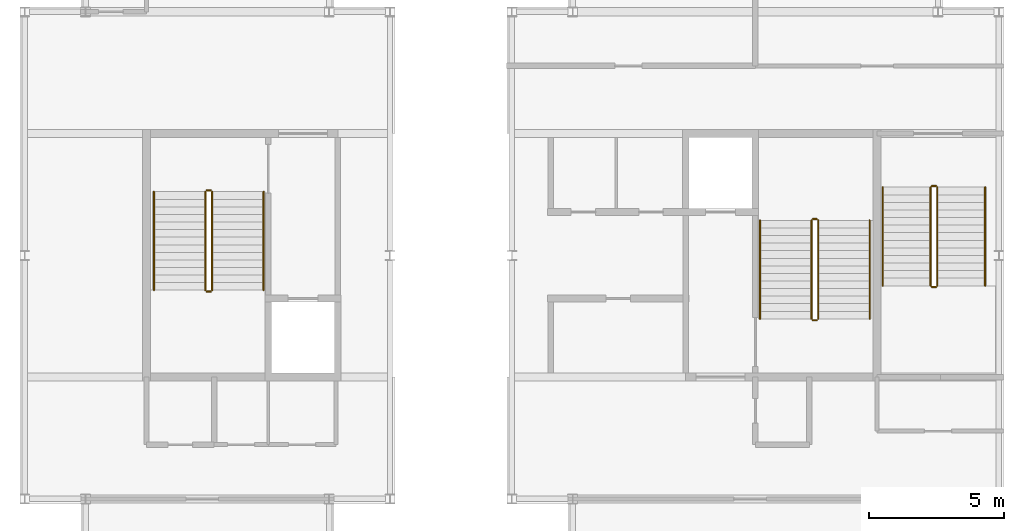
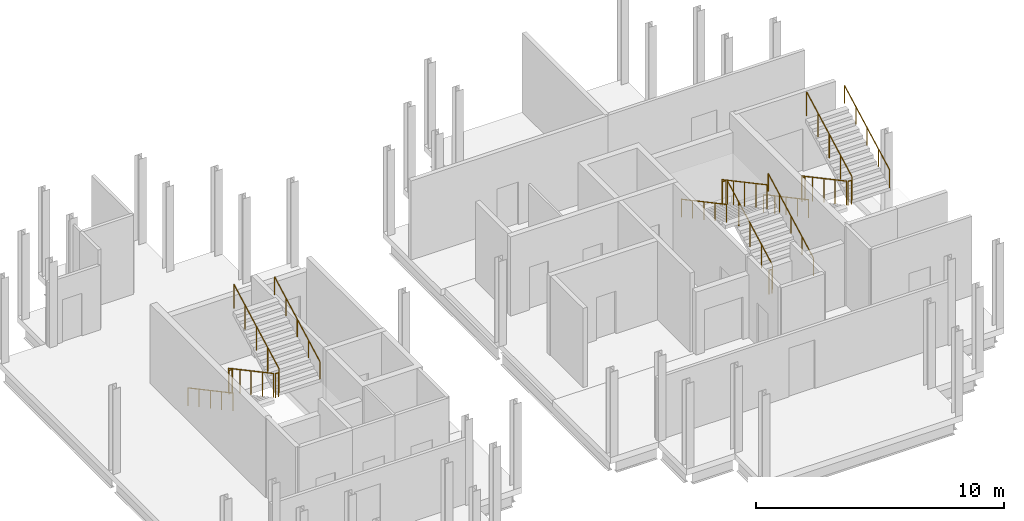
# One storey, part 7 of 7: 18 railings.
"""IFC4 building model written with IfcOpenShell, lengths in metres."""

from ifc_helpers import new_model, si_unit, direction, frame, origin, origin_2d, place, context, subcontext, project, spatial, circle, extrude, material, type_object, element, save


model = new_model("IFC4")

# Units and contexts
model_context = context("Model", 3, precision=1e-05, world=origin(), true_north=direction((0.0, 1.0)))
body_context = subcontext(model_context, "Body", "Model", "MODEL_VIEW")
ifc_project = project(units=[si_unit("LENGTHUNIT", "METRE"), si_unit("AREAUNIT", "SQUARE_METRE"), si_unit("VOLUMEUNIT", "CUBIC_METRE"), si_unit("PLANEANGLEUNIT", "RADIAN"), si_unit("MASSUNIT", "GRAM", prefix="KILO")], contexts=[model_context])

# Site, building, storey
site_placement = place(None, origin())
site = spatial("IfcSite", under=ifc_project, at=site_placement, CompositionType="ELEMENT")
building_placement = place(site_placement, origin())
building = spatial("IfcBuilding", under=site, at=building_placement, Name="Caravel Reach Hotel and Residences", CompositionType="ELEMENT")
storey_placement = place(building_placement, frame((0.0, 0.0, 317.0)))
storey = spatial("IfcBuildingStorey", under=building, at=storey_placement, Name="L80", CompositionType="ELEMENT", Elevation=317.0)

# Railings
ifc_material_1 = material(Name="Steel balustrade with glass infill", Category="steel")
railing_type_1 = type_object("IfcRailingType", Name="Guard 1200", PredefinedType="GUARDRAIL", material=ifc_material_1)
railing_1_placement = place(storey_placement, frame((20.175048828125, 29.35009765625, 0.14990234375)))
element("IfcRailing", 1, at=railing_1_placement, inside=storey, type_object=railing_type_1, Name="L80 ST-A stair guard 1", PredefinedType="GUARDRAIL", context=body_context, shape_type="SweptSolid", body=[
    extrude(circle(Radius=0.02392578125, at=origin_2d()), frame((0.0, 0.0, 1.17578125), z_axis=(0.0, -0.881467665431, 0.47224438038), x_axis=(1.0, 0.0, 0.0)), (0.0, 0.0, 1.0), 4.129638671875),
    extrude(circle(Radius=0.02099609375, at=origin_2d()), origin(), (0.0, 0.0, 1.0), 1.15185546875),
    extrude(circle(Radius=0.02099609375, at=origin_2d()), frame((0.0, -0.91015625, 0.487548828125)), (0.0, 0.0, 1.0), 1.15185546875),
    extrude(circle(Radius=0.02099609375, at=origin_2d()), frame((0.0, -1.820068359375, 0.97509765625)), (0.0, 0.0, 1.0), 1.15185546875),
    extrude(circle(Radius=0.02099609375, at=origin_2d()), frame((0.0, -2.72998046875, 1.462646484375)), (0.0, 0.0, 1.0), 1.15185546875),
    extrude(circle(Radius=0.02099609375, at=origin_2d()), frame((0.0, -3.64013671875, 1.9501953125)), (0.0, 0.0, 1.0), 1.15185546875),
])
railing_2_placement = place(storey_placement, frame((20.22509765625, 25.659912109375, 2.10009765625)))
element("IfcRailing", 2, at=railing_2_placement, inside=storey, type_object=railing_type_1, Name="L80 ST-A stair guard 2", PredefinedType="GUARDRAIL", context=body_context, shape_type="SweptSolid", body=[
    extrude(circle(Radius=0.02392578125, at=origin_2d()), frame((0.0, 0.0, 1.17578125), z_axis=(1.0, 0.0, 0.0), x_axis=(0.0, 1.0, 0.0)), (0.0, 0.0, 1.0), 0.14990234375),
    extrude(circle(Radius=0.02099609375, at=origin_2d()), origin(), (0.0, 0.0, 1.0), 1.15185546875),
    extrude(circle(Radius=0.02099609375, at=origin_2d()), frame((0.14990234375, 0.0, 0.0)), (0.0, 0.0, 1.0), 1.15185546875),
])
railing_3_placement = place(storey_placement, frame((20.425048828125, 25.7099609375, 2.25)))
element("IfcRailing", 3, at=railing_3_placement, inside=storey, type_object=railing_type_1, Name="L80 ST-A stair guard 3", PredefinedType="GUARDRAIL", context=body_context, shape_type="SweptSolid", body=[
    extrude(circle(Radius=0.02392578125, at=origin_2d()), frame((0.0, 0.0, 1.17578125), z_axis=(0.0, 0.881492274372, 0.472198443689), x_axis=(-1.0, 0.0, 0.0)), (0.0, 0.0, 1.0), 4.12939453125),
    extrude(circle(Radius=0.02099609375, at=origin_2d()), origin(), (0.0, 0.0, 1.0), 1.15185546875),
    extrude(circle(Radius=0.02099609375, at=origin_2d()), frame((0.0, 0.91015625, 0.487548828125)), (0.0, 0.0, 1.0), 1.15185546875),
    extrude(circle(Radius=0.02099609375, at=origin_2d()), frame((0.0, 1.820068359375, 0.97509765625)), (0.0, 0.0, 1.0), 1.15185546875),
    extrude(circle(Radius=0.02099609375, at=origin_2d()), frame((0.0, 2.72998046875, 1.46240234375)), (0.0, 0.0, 1.0), 1.15185546875),
    extrude(circle(Radius=0.02099609375, at=origin_2d()), frame((0.0, 3.64013671875, 1.949951171875)), (0.0, 0.0, 1.0), 1.15185546875),
])
railing_4_placement = place(storey_placement, frame((20.22509765625, 29.39990234375, 0.0)))
element("IfcRailing", 4, at=railing_4_placement, inside=storey, type_object=railing_type_1, Name="L80 ST-A stair guard 4", PredefinedType="GUARDRAIL", context=body_context, shape_type="SweptSolid", body=[
    extrude(circle(Radius=0.02392578125, at=origin_2d()), frame((0.0, 0.0, 1.17578125), z_axis=(1.0, 0.0, 0.0), x_axis=(0.0, 1.0, 0.0)), (0.0, 0.0, 1.0), 0.14990234375),
    extrude(circle(Radius=0.02099609375, at=origin_2d()), origin(), (0.0, 0.0, 1.0), 1.15185546875),
    extrude(circle(Radius=0.02099609375, at=origin_2d()), frame((0.14990234375, 0.0, 0.0)), (0.0, 0.0, 1.0), 1.15185546875),
])
railing_5_placement = place(storey_placement, frame((42.824951171875, 24.64990234375, 0.14990234375)))
element("IfcRailing", 5, at=railing_5_placement, inside=storey, type_object=railing_type_1, Name="L80 ST-B stair guard 1", PredefinedType="GUARDRAIL", context=body_context, shape_type="SweptSolid", body=[
    extrude(circle(Radius=0.02392578125, at=origin_2d()), frame((0.0, 0.0, 1.17578125), z_axis=(0.0, 0.881467665431, 0.47224438038), x_axis=(-1.0, 0.0, 0.0)), (0.0, 0.0, 1.0), 4.129638671875),
    extrude(circle(Radius=0.02099609375, at=origin_2d()), origin(), (0.0, 0.0, 1.0), 1.15185546875),
    extrude(circle(Radius=0.02099609375, at=origin_2d()), frame((0.0, 0.91015625, 0.487548828125)), (0.0, 0.0, 1.0), 1.15185546875),
    extrude(circle(Radius=0.02099609375, at=origin_2d()), frame((0.0, 1.820068359375, 0.97509765625)), (0.0, 0.0, 1.0), 1.15185546875),
    extrude(circle(Radius=0.02099609375, at=origin_2d()), frame((0.0, 2.72998046875, 1.462646484375)), (0.0, 0.0, 1.0), 1.15185546875),
    extrude(circle(Radius=0.02099609375, at=origin_2d()), frame((0.0, 3.64013671875, 1.9501953125)), (0.0, 0.0, 1.0), 1.15185546875),
])
railing_6_placement = place(storey_placement, frame((42.77490234375, 28.340087890625, 2.10009765625)))
element("IfcRailing", 6, at=railing_6_placement, inside=storey, type_object=railing_type_1, Name="L80 ST-B stair guard 2", PredefinedType="GUARDRAIL", context=body_context, shape_type="SweptSolid", body=[
    extrude(circle(Radius=0.02392578125, at=origin_2d()), frame((0.0, 0.0, 1.17578125), z_axis=(-1.0, 0.0, 0.0), x_axis=(0.0, -1.0, 0.0)), (0.0, 0.0, 1.0), 0.14990234375),
    extrude(circle(Radius=0.02099609375, at=origin_2d()), origin(), (0.0, 0.0, 1.0), 1.15185546875),
    extrude(circle(Radius=0.02099609375, at=origin_2d()), frame((-0.14990234375, 0.0, 0.0)), (0.0, 0.0, 1.0), 1.15185546875),
])
railing_7_placement = place(storey_placement, frame((42.574951171875, 28.2900390625, 2.25)))
element("IfcRailing", 7, at=railing_7_placement, inside=storey, type_object=railing_type_1, Name="L80 ST-B stair guard 3", PredefinedType="GUARDRAIL", context=body_context, shape_type="SweptSolid", body=[
    extrude(circle(Radius=0.02392578125, at=origin_2d()), frame((0.0, 0.0, 1.17578125), z_axis=(0.0, -0.881492274372, 0.472198443689), x_axis=(1.0, 0.0, 0.0)), (0.0, 0.0, 1.0), 4.12939453125),
    extrude(circle(Radius=0.02099609375, at=origin_2d()), origin(), (0.0, 0.0, 1.0), 1.15185546875),
    extrude(circle(Radius=0.02099609375, at=origin_2d()), frame((0.0, -0.91015625, 0.487548828125)), (0.0, 0.0, 1.0), 1.15185546875),
    extrude(circle(Radius=0.02099609375, at=origin_2d()), frame((0.0, -1.820068359375, 0.97509765625)), (0.0, 0.0, 1.0), 1.15185546875),
    extrude(circle(Radius=0.02099609375, at=origin_2d()), frame((0.0, -2.72998046875, 1.46240234375)), (0.0, 0.0, 1.0), 1.15185546875),
    extrude(circle(Radius=0.02099609375, at=origin_2d()), frame((0.0, -3.64013671875, 1.949951171875)), (0.0, 0.0, 1.0), 1.15185546875),
])
railing_8_placement = place(storey_placement, frame((42.77490234375, 24.60009765625, 0.0)))
element("IfcRailing", 8, at=railing_8_placement, inside=storey, type_object=railing_type_1, Name="L80 ST-B stair guard 4", PredefinedType="GUARDRAIL", context=body_context, shape_type="SweptSolid", body=[
    extrude(circle(Radius=0.02392578125, at=origin_2d()), frame((0.0, 0.0, 1.17578125), z_axis=(-1.0, 0.0, 0.0), x_axis=(0.0, -1.0, 0.0)), (0.0, 0.0, 1.0), 0.14990234375),
    extrude(circle(Radius=0.02099609375, at=origin_2d()), origin(), (0.0, 0.0, 1.0), 1.15185546875),
    extrude(circle(Radius=0.02099609375, at=origin_2d()), frame((-0.14990234375, 0.0, 0.0)), (0.0, 0.0, 1.0), 1.15185546875),
])
railing_9_placement = place(storey_placement, frame((46.97509765625, 29.514892578125, 0.14990234375)))
element("IfcRailing", 9, at=railing_9_placement, inside=storey, type_object=railing_type_1, Name="L80 ST-C stair guard 1", PredefinedType="GUARDRAIL", context=body_context, shape_type="SweptSolid", body=[
    extrude(circle(Radius=0.02392578125, at=origin_2d()), frame((0.0, 0.0, 1.17578125), z_axis=(0.0, -0.88145447994, 0.472268990929), x_axis=(1.0, 0.0, 0.0)), (0.0, 0.0, 1.0), 4.12939453125),
    extrude(circle(Radius=0.02099609375, at=origin_2d()), origin(), (0.0, 0.0, 1.0), 1.15185546875),
    extrude(circle(Radius=0.02099609375, at=origin_2d()), frame((0.0, -0.909912109375, 0.487548828125)), (0.0, 0.0, 1.0), 1.15185546875),
    extrude(circle(Radius=0.02099609375, at=origin_2d()), frame((0.0, -1.81982421875, 0.97509765625)), (0.0, 0.0, 1.0), 1.15185546875),
    extrude(circle(Radius=0.02099609375, at=origin_2d()), frame((0.0, -2.72998046875, 1.462646484375)), (0.0, 0.0, 1.0), 1.15185546875),
    extrude(circle(Radius=0.02099609375, at=origin_2d()), frame((0.0, -3.639892578125, 1.9501953125)), (0.0, 0.0, 1.0), 1.15185546875),
])
railing_10_placement = place(storey_placement, frame((47.02490234375, 25.824951171875, 2.10009765625)))
element("IfcRailing", 10, at=railing_10_placement, inside=storey, type_object=railing_type_1, Name="L80 ST-C stair guard 2", PredefinedType="GUARDRAIL", context=body_context, shape_type="SweptSolid", body=[
    extrude(circle(Radius=0.02392578125, at=origin_2d()), frame((0.0, 0.0, 1.17578125), z_axis=(1.0, 0.0, 0.0), x_axis=(0.0, 1.0, 0.0)), (0.0, 0.0, 1.0), 0.150146484375),
    extrude(circle(Radius=0.02099609375, at=origin_2d()), origin(), (0.0, 0.0, 1.0), 1.15185546875),
    extrude(circle(Radius=0.02099609375, at=origin_2d()), frame((0.150146484375, 0.0, 0.0)), (0.0, 0.0, 1.0), 1.15185546875),
])
railing_11_placement = place(storey_placement, frame((47.22509765625, 25.875, 2.25)))
element("IfcRailing", 11, at=railing_11_placement, inside=storey, type_object=railing_type_1, Name="L80 ST-C stair guard 3", PredefinedType="GUARDRAIL", context=body_context, shape_type="SweptSolid", body=[
    extrude(circle(Radius=0.02392578125, at=origin_2d()), frame((0.0, 0.0, 1.17578125), z_axis=(0.0, 0.881479091078, 0.472223053219), x_axis=(-1.0, 0.0, 0.0)), (0.0, 0.0, 1.0), 4.12939453125),
    extrude(circle(Radius=0.02099609375, at=origin_2d()), origin(), (0.0, 0.0, 1.0), 1.15185546875),
    extrude(circle(Radius=0.02099609375, at=origin_2d()), frame((0.0, 0.909912109375, 0.487548828125)), (0.0, 0.0, 1.0), 1.15185546875),
    extrude(circle(Radius=0.02099609375, at=origin_2d()), frame((0.0, 1.81982421875, 0.97509765625)), (0.0, 0.0, 1.0), 1.15185546875),
    extrude(circle(Radius=0.02099609375, at=origin_2d()), frame((0.0, 2.72998046875, 1.46240234375)), (0.0, 0.0, 1.0), 1.15185546875),
    extrude(circle(Radius=0.02099609375, at=origin_2d()), frame((0.0, 3.639892578125, 1.949951171875)), (0.0, 0.0, 1.0), 1.15185546875),
])
railing_12_placement = place(storey_placement, frame((47.02490234375, 29.56494140625, 0.0)))
element("IfcRailing", 12, at=railing_12_placement, inside=storey, type_object=railing_type_1, Name="L80 ST-C stair guard 4", PredefinedType="GUARDRAIL", context=body_context, shape_type="SweptSolid", body=[
    extrude(circle(Radius=0.02392578125, at=origin_2d()), frame((0.0, 0.0, 1.17578125), z_axis=(1.0, 0.0, 0.0), x_axis=(0.0, 1.0, 0.0)), (0.0, 0.0, 1.0), 0.150146484375),
    extrude(circle(Radius=0.02099609375, at=origin_2d()), origin(), (0.0, 0.0, 1.0), 1.15185546875),
    extrude(circle(Radius=0.02099609375, at=origin_2d()), frame((0.150146484375, 0.0, 0.0)), (0.0, 0.0, 1.0), 1.15185546875),
])
ifc_material_2 = material(Name="Stainless steel handrail", Category="steel")
railing_type_2 = type_object("IfcRailingType", Name="Handrail 900", PredefinedType="HANDRAIL", material=ifc_material_2)
railing_13_placement = place(storey_placement, frame((18.27490234375, 29.35009765625, 0.14990234375)))
element("IfcRailing", 13, at=railing_13_placement, inside=storey, type_object=railing_type_2, Name="L80 ST-A stair handrail 1", PredefinedType="HANDRAIL", context=body_context, shape_type="SweptSolid", body=[
    extrude(circle(Radius=0.02392578125, at=origin_2d()), frame((0.0, 0.0, 0.8759765625), z_axis=(0.0, -0.881467665431, 0.47224438038), x_axis=(1.0, 0.0, 0.0)), (0.0, 0.0, 1.0), 4.129638671875),
    extrude(circle(Radius=0.02099609375, at=origin_2d()), origin(), (0.0, 0.0, 1.0), 0.851806640625),
    extrude(circle(Radius=0.02099609375, at=origin_2d()), frame((0.0, -0.91015625, 0.487548828125)), (0.0, 0.0, 1.0), 0.851806640625),
    extrude(circle(Radius=0.02099609375, at=origin_2d()), frame((0.0, -1.820068359375, 0.97509765625)), (0.0, 0.0, 1.0), 0.851806640625),
    extrude(circle(Radius=0.02099609375, at=origin_2d()), frame((0.0, -2.72998046875, 1.462646484375)), (0.0, 0.0, 1.0), 0.851806640625),
    extrude(circle(Radius=0.02099609375, at=origin_2d()), frame((0.0, -3.64013671875, 1.9501953125)), (0.0, 0.0, 1.0), 0.851806640625),
])
railing_14_placement = place(storey_placement, frame((22.324951171875, 25.7099609375, 2.25)))
element("IfcRailing", 14, at=railing_14_placement, inside=storey, type_object=railing_type_2, Name="L80 ST-A stair handrail 2", PredefinedType="HANDRAIL", context=body_context, shape_type="SweptSolid", body=[
    extrude(circle(Radius=0.02392578125, at=origin_2d()), frame((0.0, 0.0, 0.8759765625), z_axis=(0.0, 0.881492274372, 0.472198443689), x_axis=(-1.0, 0.0, 0.0)), (0.0, 0.0, 1.0), 4.12939453125),
    extrude(circle(Radius=0.02099609375, at=origin_2d()), origin(), (0.0, 0.0, 1.0), 0.851806640625),
    extrude(circle(Radius=0.02099609375, at=origin_2d()), frame((0.0, 0.91015625, 0.487548828125)), (0.0, 0.0, 1.0), 0.851806640625),
    extrude(circle(Radius=0.02099609375, at=origin_2d()), frame((0.0, 1.820068359375, 0.97509765625)), (0.0, 0.0, 1.0), 0.851806640625),
    extrude(circle(Radius=0.02099609375, at=origin_2d()), frame((0.0, 2.72998046875, 1.46240234375)), (0.0, 0.0, 1.0), 0.851806640625),
    extrude(circle(Radius=0.02099609375, at=origin_2d()), frame((0.0, 3.64013671875, 1.949951171875)), (0.0, 0.0, 1.0), 0.851806640625),
])
railing_15_placement = place(storey_placement, frame((44.72509765625, 24.64990234375, 0.14990234375)))
element("IfcRailing", 15, at=railing_15_placement, inside=storey, type_object=railing_type_2, Name="L80 ST-B stair handrail 1", PredefinedType="HANDRAIL", context=body_context, shape_type="SweptSolid", body=[
    extrude(circle(Radius=0.02392578125, at=origin_2d()), frame((0.0, 0.0, 0.8759765625), z_axis=(0.0, 0.881467665431, 0.47224438038), x_axis=(-1.0, 0.0, 0.0)), (0.0, 0.0, 1.0), 4.129638671875),
    extrude(circle(Radius=0.02099609375, at=origin_2d()), origin(), (0.0, 0.0, 1.0), 0.851806640625),
    extrude(circle(Radius=0.02099609375, at=origin_2d()), frame((0.0, 0.91015625, 0.487548828125)), (0.0, 0.0, 1.0), 0.851806640625),
    extrude(circle(Radius=0.02099609375, at=origin_2d()), frame((0.0, 1.820068359375, 0.97509765625)), (0.0, 0.0, 1.0), 0.851806640625),
    extrude(circle(Radius=0.02099609375, at=origin_2d()), frame((0.0, 2.72998046875, 1.462646484375)), (0.0, 0.0, 1.0), 0.851806640625),
    extrude(circle(Radius=0.02099609375, at=origin_2d()), frame((0.0, 3.64013671875, 1.9501953125)), (0.0, 0.0, 1.0), 0.851806640625),
])
railing_16_placement = place(storey_placement, frame((40.675048828125, 28.2900390625, 2.25)))
element("IfcRailing", 16, at=railing_16_placement, inside=storey, type_object=railing_type_2, Name="L80 ST-B stair handrail 2", PredefinedType="HANDRAIL", context=body_context, shape_type="SweptSolid", body=[
    extrude(circle(Radius=0.02392578125, at=origin_2d()), frame((0.0, 0.0, 0.8759765625), z_axis=(0.0, -0.881492274372, 0.472198443689), x_axis=(1.0, 0.0, 0.0)), (0.0, 0.0, 1.0), 4.12939453125),
    extrude(circle(Radius=0.02099609375, at=origin_2d()), origin(), (0.0, 0.0, 1.0), 0.851806640625),
    extrude(circle(Radius=0.02099609375, at=origin_2d()), frame((0.0, -0.91015625, 0.487548828125)), (0.0, 0.0, 1.0), 0.851806640625),
    extrude(circle(Radius=0.02099609375, at=origin_2d()), frame((0.0, -1.820068359375, 0.97509765625)), (0.0, 0.0, 1.0), 0.851806640625),
    extrude(circle(Radius=0.02099609375, at=origin_2d()), frame((0.0, -2.72998046875, 1.46240234375)), (0.0, 0.0, 1.0), 0.851806640625),
    extrude(circle(Radius=0.02099609375, at=origin_2d()), frame((0.0, -3.64013671875, 1.949951171875)), (0.0, 0.0, 1.0), 0.851806640625),
])
railing_17_placement = place(storey_placement, frame((45.2099609375, 29.514892578125, 0.14990234375)))
element("IfcRailing", 17, at=railing_17_placement, inside=storey, type_object=railing_type_2, Name="L80 ST-C stair handrail 1", PredefinedType="HANDRAIL", context=body_context, shape_type="SweptSolid", body=[
    extrude(circle(Radius=0.02392578125, at=origin_2d()), frame((0.0, 0.0, 0.8759765625), z_axis=(0.0, -0.88145447994, 0.472268990929), x_axis=(1.0, 0.0, 0.0)), (0.0, 0.0, 1.0), 4.12939453125),
    extrude(circle(Radius=0.02099609375, at=origin_2d()), origin(), (0.0, 0.0, 1.0), 0.851806640625),
    extrude(circle(Radius=0.02099609375, at=origin_2d()), frame((0.0, -0.909912109375, 0.487548828125)), (0.0, 0.0, 1.0), 0.851806640625),
    extrude(circle(Radius=0.02099609375, at=origin_2d()), frame((0.0, -1.81982421875, 0.97509765625)), (0.0, 0.0, 1.0), 0.851806640625),
    extrude(circle(Radius=0.02099609375, at=origin_2d()), frame((0.0, -2.72998046875, 1.462646484375)), (0.0, 0.0, 1.0), 0.851806640625),
    extrude(circle(Radius=0.02099609375, at=origin_2d()), frame((0.0, -3.639892578125, 1.9501953125)), (0.0, 0.0, 1.0), 0.851806640625),
])
railing_18_placement = place(storey_placement, frame((48.989990234375, 25.875, 2.25)))
element("IfcRailing", 18, at=railing_18_placement, inside=storey, type_object=railing_type_2, Name="L80 ST-C stair handrail 2", PredefinedType="HANDRAIL", context=body_context, shape_type="SweptSolid", body=[
    extrude(circle(Radius=0.02392578125, at=origin_2d()), frame((0.0, 0.0, 0.8759765625), z_axis=(0.0, 0.881479091078, 0.472223053219), x_axis=(-1.0, 0.0, 0.0)), (0.0, 0.0, 1.0), 4.12939453125),
    extrude(circle(Radius=0.02099609375, at=origin_2d()), origin(), (0.0, 0.0, 1.0), 0.851806640625),
    extrude(circle(Radius=0.02099609375, at=origin_2d()), frame((0.0, 0.909912109375, 0.487548828125)), (0.0, 0.0, 1.0), 0.851806640625),
    extrude(circle(Radius=0.02099609375, at=origin_2d()), frame((0.0, 1.81982421875, 0.97509765625)), (0.0, 0.0, 1.0), 0.851806640625),
    extrude(circle(Radius=0.02099609375, at=origin_2d()), frame((0.0, 2.72998046875, 1.46240234375)), (0.0, 0.0, 1.0), 0.851806640625),
    extrude(circle(Radius=0.02099609375, at=origin_2d()), frame((0.0, 3.639892578125, 1.949951171875)), (0.0, 0.0, 1.0), 0.851806640625),
])

save(model, "model.ifc")
